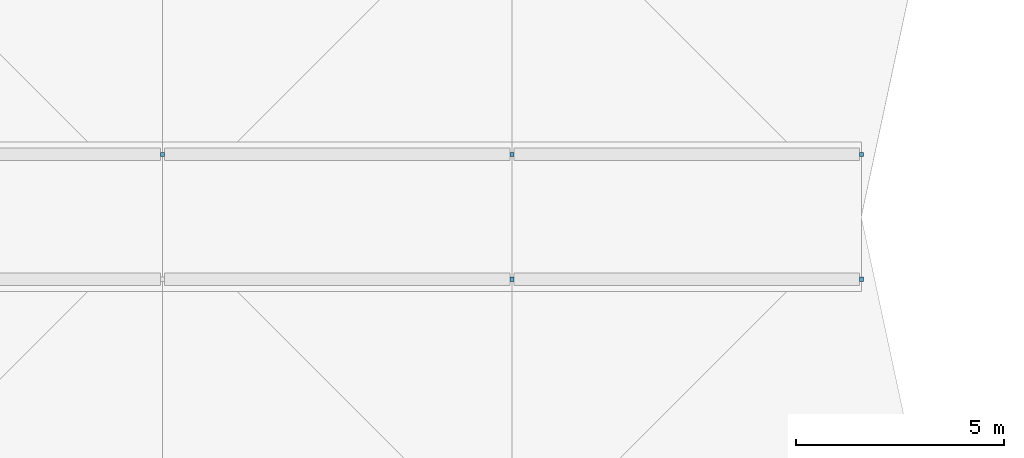
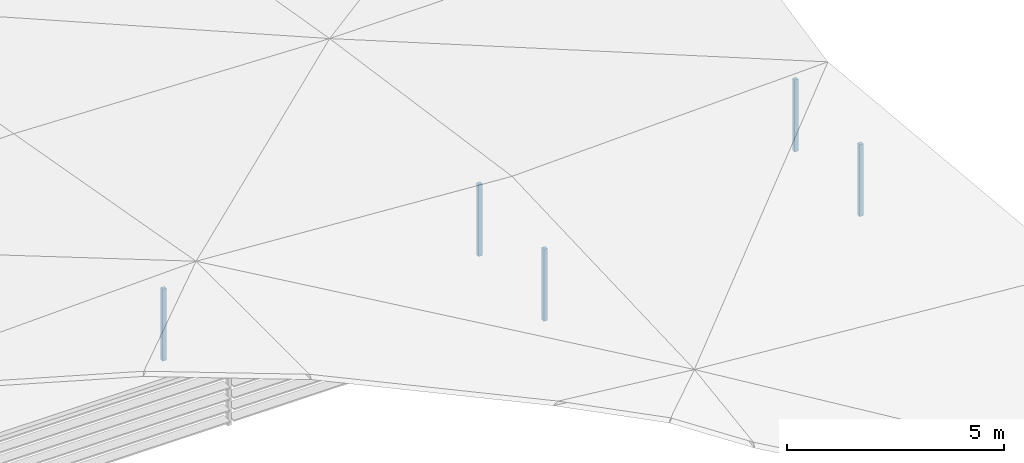
# One storey, part 7 of 46: 5 discrete accessories.
"""IFC4 building model written with IfcOpenShell, lengths in metres."""

from ifc_helpers import new_model, si_unit, direction, frame, origin, origin_2d, place, context, subcontext, project, spatial, rectangle, extrude, material, layer, layer_set, type_object, element, save


model = new_model("IFC4")

# Units and contexts
model_context = context("Model", 3, precision=1e-05, world=origin(), true_north=direction((0.0, 1.0)))
body_context = subcontext(model_context, "Body", "Model", "MODEL_VIEW")
ifc_project = project(units=[si_unit("LENGTHUNIT", "METRE"), si_unit("AREAUNIT", "SQUARE_METRE"), si_unit("VOLUMEUNIT", "CUBIC_METRE"), si_unit("PLANEANGLEUNIT", "RADIAN"), si_unit("MASSUNIT", "GRAM", prefix="KILO")], contexts=[model_context])

# Site, building, storey
site_placement = place(None, origin())
site = spatial("IfcSite", under=ifc_project, at=site_placement, CompositionType="ELEMENT")
building_placement = place(site_placement, origin())
building = spatial("IfcBuilding", under=site, at=building_placement, Name="Rain Tree Exposition and Congress Centre", CompositionType="ELEMENT")
storey_placement = place(building_placement, frame((0.0, 0.0, 27.0)))
storey = spatial("IfcBuildingStorey", under=building, at=storey_placement, Name="ROOF VAULT CREST", CompositionType="ELEMENT", Elevation=27.0)

# Discrete accessories
ifc_material = material(Name="Steel S355J2", Category="steel")
ifc_layer = layer(ifc_material, 0.10009765625)
ifc_layer_set = layer_set([ifc_layer], Name="Steel S355J2")
discrete_accessory_type = type_object("IfcDiscreteAccessoryType", Name="Ridge lantern post 100", PredefinedType="BRACKET", material=ifc_layer_set)
for number, where, z_axis, x_axis, name in (
    (1, (117.60009765625, 149.699951171875, 0.0), (0.0, 0.0, 1.0), (1.0, 0.0, 0.0), "Lantern post S13"),
    (2, (126.0, 149.699951171875, 0.0), (0.0, 0.0, 1.0), (1.0, 0.0, 0.0), "Lantern post S14"),
    (3, (109.199951171875, 152.699951171875, 0.0), (0.0, 0.0, 1.0), (1.0, 0.0, 0.0), "Lantern post N12"),
    (4, (117.60009765625, 152.699951171875, 0.0), (0.0, 0.0, 1.0), (1.0, 0.0, 0.0), "Lantern post N13"),
    (5, (126.0, 152.699951171875, 0.0), (0.0, 0.0, 1.0), (1.0, 0.0, 0.0), "Lantern post N14"),
):
    element("IfcDiscreteAccessory", number, at=place(storey_placement, frame(where, z_axis=z_axis, x_axis=x_axis)), inside=storey, type_object=discrete_accessory_type, Name=name, PredefinedType="BRACKET", context=body_context, shape_type="SweptSolid", body=[
        extrude(rectangle(XDim=0.10009765625, YDim=0.10009765625, at=origin_2d()), origin(), (0.0, 0.0, 1.0), 2.02001953125),
    ])

save(model, "model.ifc")
